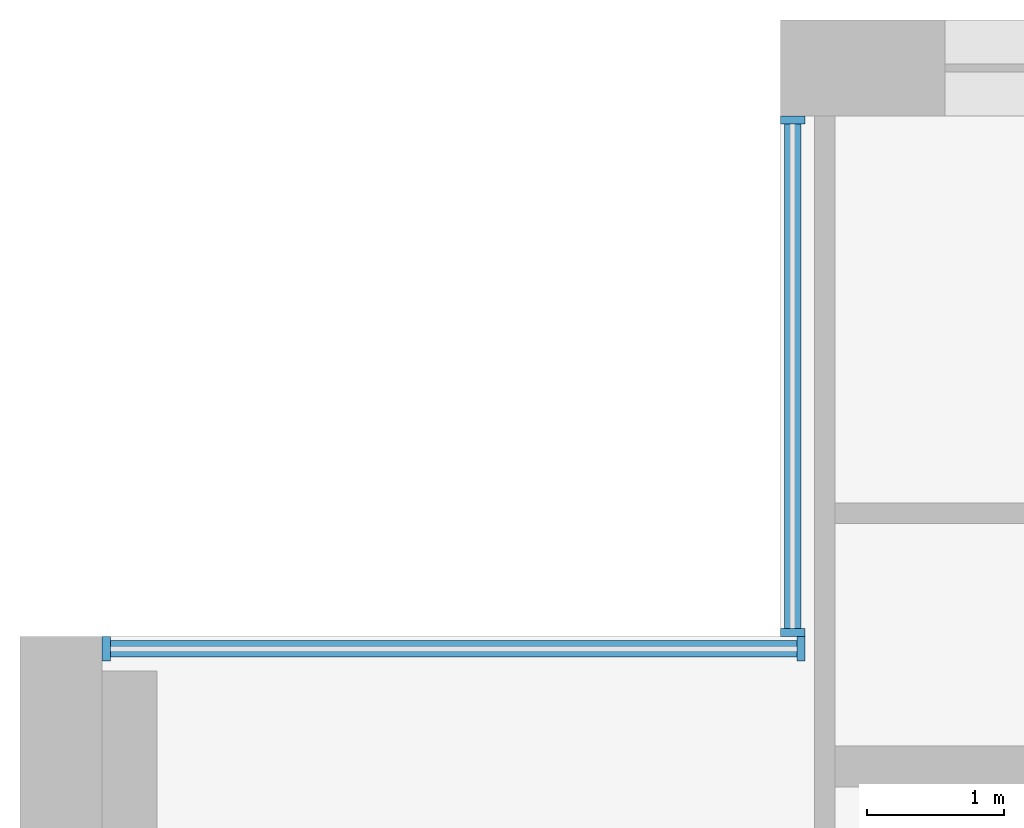
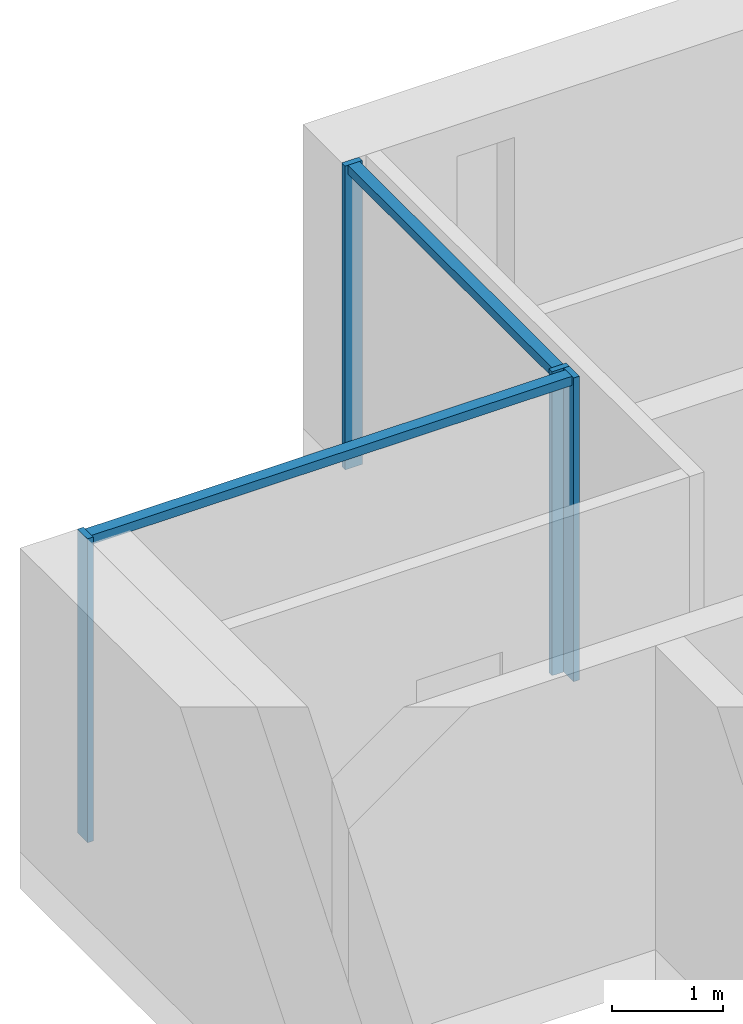
# One storey, part 4 of 16: 6 members, 2 elements without a shape of their own.
"""IFC4 building model written with IfcOpenShell, lengths in metres."""

from ifc_helpers import new_model, si_unit, direction, frame, origin, origin_2d, place, context, subcontext, project, spatial, rectangle, extrude, material, material_profile, profile_set, type_object, element, aggregate, save


model = new_model("IFC4")

# Units and contexts
model_context = context("Model", 3, precision=1e-05, world=origin(), true_north=direction((0.0, 1.0)))
body_context = subcontext(model_context, "Body", "Model", "MODEL_VIEW")
ifc_project = project(units=[si_unit("LENGTHUNIT", "METRE"), si_unit("AREAUNIT", "SQUARE_METRE"), si_unit("VOLUMEUNIT", "CUBIC_METRE"), si_unit("PLANEANGLEUNIT", "RADIAN"), si_unit("MASSUNIT", "GRAM", prefix="KILO")], contexts=[model_context])

# Site, building, storey
site_placement = place(None, origin())
site = spatial("IfcSite", under=ifc_project, at=site_placement, CompositionType="ELEMENT")
building_placement = place(site_placement, origin())
building = spatial("IfcBuilding", under=site, at=building_placement, Name="Calvaro Tower", CompositionType="ELEMENT")
storey_placement = place(building_placement, frame((0.0, 0.0, 181.75)))
storey = spatial("IfcBuildingStorey", under=building, at=storey_placement, Name="L45", CompositionType="ELEMENT", Elevation=181.75)

# Curtain wall, members
ifc_material_1 = material(Name="Anodised aluminium", Category="aluminium")
curtain_wall_type = type_object("IfcCurtainWallType", Name="Office curtain wall, upper zone", PredefinedType="NOTDEFINED", material=ifc_material_1)
curtain_wall_1_placement = place(storey_placement, origin())
curtain_wall_1 = element("IfcCurtainWall", 1, at=curtain_wall_1_placement, inside=storey, type_object=curtain_wall_type, Name="CW3 corner curtain wall", PredefinedType="NOTDEFINED")
ifc_material_2 = material(Name="Anodised aluminium", Category="aluminium")
ifc_material_profile_1 = material_profile(ifc_material_2, rectangle(XDim=0.179931640625, YDim=0.06005859375, at=origin_2d()), Name="Mullion S3 60 x 180")
ifc_profile_set_1 = profile_set([ifc_material_profile_1], Name="Anodised aluminium")
member_type_1 = type_object("IfcMemberType", Name="Mullion S3 60 x 180", PredefinedType="MULLION", material=ifc_profile_set_1)
member_1_placement = place(storey_placement, frame((11.639892578125, 41.530029296875, 0.0), z_axis=(0.0, 0.0, 1.0), x_axis=(-1.0, 0.0, 0.0)))
member_1 = element("IfcMember", 2, at=member_1_placement, type_object=member_type_1, Name="CW3 mullion 1", PredefinedType="MULLION", context=body_context, shape_type="SweptSolid", body=[
    extrude(rectangle(XDim=0.179931640625, YDim=0.06005859375, at=origin_2d()), origin(), (0.0, 0.0, 1.0), 3.35009765625),
])
member_2_placement = place(storey_placement, frame((11.639892578125, 45.27001953125, 0.0), z_axis=(0.0, 0.0, 1.0), x_axis=(-1.0, 0.0, 0.0)))
member_2 = element("IfcMember", 3, at=member_2_placement, type_object=member_type_1, Name="CW3 mullion 2", PredefinedType="MULLION", context=body_context, shape_type="SweptSolid", body=[
    extrude(rectangle(XDim=0.179931640625, YDim=0.06005859375, at=origin_2d()), origin(), (0.0, 0.0, 1.0), 3.35009765625),
])

curtain_wall_2_placement = place(storey_placement, origin())
curtain_wall_2 = element("IfcCurtainWall", 4, at=curtain_wall_2_placement, inside=storey, type_object=curtain_wall_type, Name="CW3 corner curtain wall", PredefinedType="NOTDEFINED")
member_3_placement = place(storey_placement, frame((6.6298828125, 41.409912109375, 0.0), z_axis=(0.0, 0.0, 1.0), x_axis=(0.0, 1.0, 0.0)))
member_3 = element("IfcMember", 5, at=member_3_placement, type_object=member_type_1, Name="CW3 mullion 1", PredefinedType="MULLION", context=body_context, shape_type="SweptSolid", body=[
    extrude(rectangle(XDim=0.179931640625, YDim=0.06005859375, at=origin_2d()), origin(), (0.0, 0.0, 1.0), 3.35009765625),
])
member_4_placement = place(storey_placement, frame((11.699951171875, 41.409912109375, 0.0), z_axis=(0.0, 0.0, 1.0), x_axis=(0.0, 1.0, 0.0)))
member_4 = element("IfcMember", 6, at=member_4_placement, type_object=member_type_1, Name="CW3 mullion 2", PredefinedType="MULLION", context=body_context, shape_type="SweptSolid", body=[
    extrude(rectangle(XDim=0.179931640625, YDim=0.06005859375, at=origin_2d()), origin(), (0.0, 0.0, 1.0), 3.35009765625),
])

# Member
ifc_material_3 = material(Name="Anodised aluminium", Category="aluminium")
ifc_material_profile_2 = material_profile(ifc_material_3, rectangle(XDim=0.1201171875, YDim=0.10009765625, at=origin_2d()), Name="Transom S3 100 x 120")
ifc_profile_set_2 = profile_set([ifc_material_profile_2], Name="Anodised aluminium")
member_type_2 = type_object("IfcMemberType", Name="Transom S3 100 x 120", PredefinedType="USERDEFINED", material=ifc_profile_set_2)
member_5_placement = place(storey_placement, frame((11.639892578125, 41.56005859375, 3.300048828125), z_axis=(0.0, 1.0, 0.0), x_axis=(-1.0, 0.0, 0.0)))
member_5 = element("IfcMember", 7, at=member_5_placement, type_object=member_type_2, Name="CW3 transom 1.1", ObjectType="TRANSOM", PredefinedType="USERDEFINED", context=body_context, shape_type="SweptSolid", body=[
    extrude(rectangle(XDim=0.1201171875, YDim=0.10009765625, at=origin_2d()), origin(), (0.0, 0.0, 1.0), 3.679931640625),
])

aggregate(curtain_wall_1, [member_1, member_2, member_5])

member_6_placement = place(storey_placement, frame((6.659912109375, 41.409912109375, 3.300048828125), z_axis=(1.0, 0.0, 0.0), x_axis=(0.0, 1.0, 0.0)))
member_6 = element("IfcMember", 8, at=member_6_placement, type_object=member_type_2, Name="CW3 transom 1.1", ObjectType="TRANSOM", PredefinedType="USERDEFINED", context=body_context, shape_type="SweptSolid", body=[
    extrude(rectangle(XDim=0.1201171875, YDim=0.10009765625, at=origin_2d()), origin(), (0.0, 0.0, 1.0), 5.010009765625),
])

aggregate(curtain_wall_2, [member_3, member_4, member_6])

save(model, "model.ifc")
